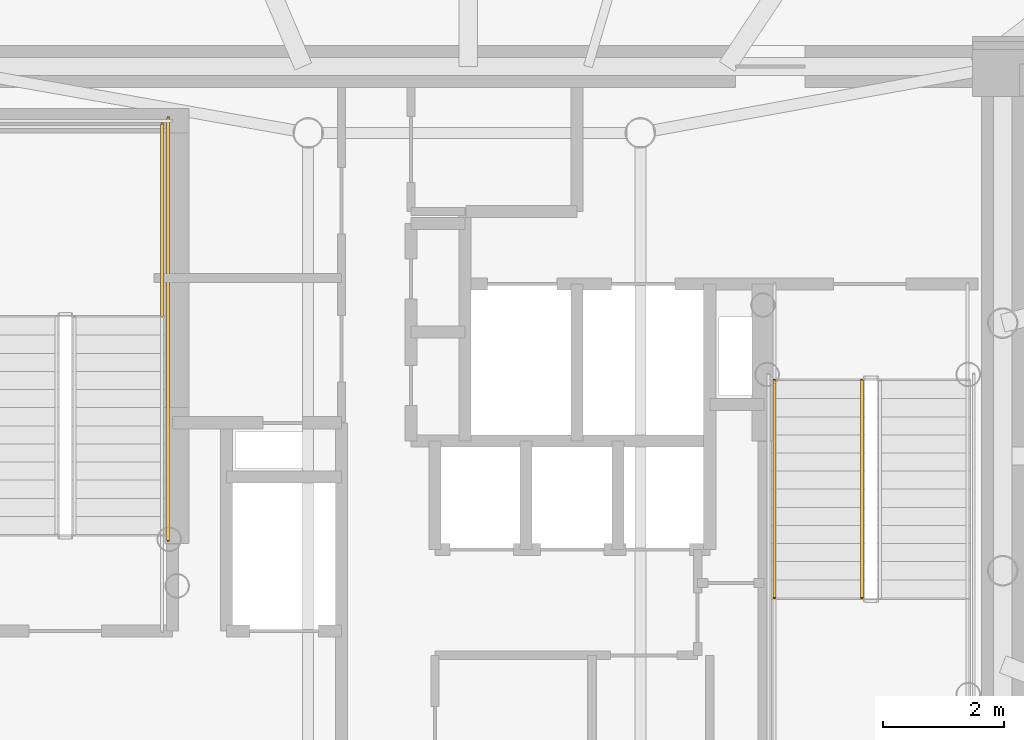
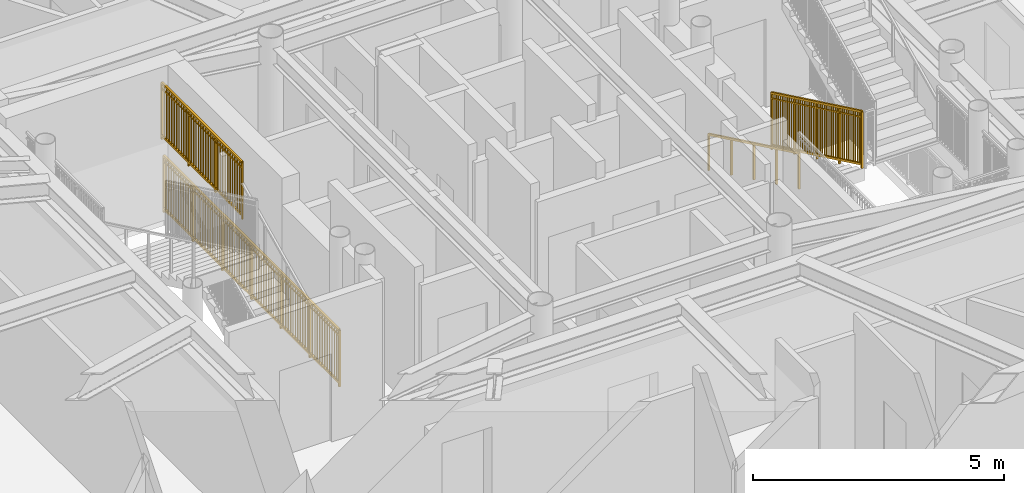
# One storey, part 18 of 20: 4 railings.
"""IFC4 building model written with IfcOpenShell, lengths in metres."""

from ifc_helpers import new_model, si_unit, direction, frame, origin, origin_2d, place, context, subcontext, project, spatial, rectangle, extrude, source, transform, mapped, material, type_object, element, save


model = new_model("IFC4")

# Units and contexts
model_context = context("Model", 3, precision=1e-05, world=origin(), true_north=direction((0.0, 1.0)))
body_context = subcontext(model_context, "Body", "Model", "MODEL_VIEW")
ifc_project = project(units=[si_unit("LENGTHUNIT", "METRE"), si_unit("AREAUNIT", "SQUARE_METRE"), si_unit("VOLUMEUNIT", "CUBIC_METRE"), si_unit("PLANEANGLEUNIT", "RADIAN"), si_unit("MASSUNIT", "GRAM", prefix="KILO")], contexts=[model_context])

# Site, building, storey
site_placement = place(None, origin())
site = spatial("IfcSite", under=ifc_project, at=site_placement, CompositionType="ELEMENT")
building_placement = place(site_placement, origin())
building = spatial("IfcBuilding", under=site, at=building_placement, Name="Linh Dai School and Residence Tower", CompositionType="ELEMENT")
storey_placement = place(building_placement, frame((0.0, 0.0, 288.0)))
storey = spatial("IfcBuildingStorey", under=building, at=storey_placement, Name="L71", CompositionType="ELEMENT", Elevation=288.0)

# Railings
ifc_material_1 = material(Name="Structural Steel S355JR", Category="steel")
railing_type_1 = type_object("IfcRailingType", Name="RL-ST-GUARD-1400", PredefinedType="GUARDRAIL", material=ifc_material_1)
shared_shape_1 = source(origin(), body_context, "Body", "SweptSolid", [
    extrude(rectangle(XDim=0.048095703125, YDim=0.048095703125, at=origin_2d()), frame((0.0, 0.0, 1.3759765625), z_axis=(0.0, 1.0, 0.0), x_axis=(-1.0, 0.0, 0.0)), (0.0, 0.0, 1.0), 7.0),
    extrude(rectangle(XDim=0.048095703125, YDim=0.048095703125, at=origin_2d()), frame((0.0, 0.0, 0.10009765625), z_axis=(0.0, 1.0, 0.0), x_axis=(-1.0, 0.0, 0.0)), (0.0, 0.0, 1.0), 7.0),
    extrude(rectangle(XDim=0.030029296875, YDim=0.030029296875, at=origin_2d()), frame((0.0, 0.0, 1.239990234375), z_axis=(0.0, 1.0, 0.0), x_axis=(-1.0, 0.0, 0.0)), (0.0, 0.0, 1.0), 7.0),
    extrude(rectangle(XDim=0.02001953125, YDim=0.02001953125, at=origin_2d()), frame((0.0, 0.09716796875, 0.10009765625)), (0.0, 0.0, 1.0), 1.251708984375),
    extrude(rectangle(XDim=0.02001953125, YDim=0.02001953125, at=origin_2d()), frame((0.0, 0.1943359375, 0.10009765625)), (0.0, 0.0, 1.0), 1.251708984375),
    extrude(rectangle(XDim=0.02001953125, YDim=0.02001953125, at=origin_2d()), frame((0.0, 0.291748046875, 0.10009765625)), (0.0, 0.0, 1.0), 1.251708984375),
    extrude(rectangle(XDim=0.02001953125, YDim=0.02001953125, at=origin_2d()), frame((0.0, 0.388916015625, 0.10009765625)), (0.0, 0.0, 1.0), 1.251708984375),
    extrude(rectangle(XDim=0.02001953125, YDim=0.02001953125, at=origin_2d()), frame((0.0, 0.486083984375, 0.10009765625)), (0.0, 0.0, 1.0), 1.251708984375),
    extrude(rectangle(XDim=0.02001953125, YDim=0.02001953125, at=origin_2d()), frame((0.0, 0.583251953125, 0.10009765625)), (0.0, 0.0, 1.0), 1.251708984375),
    extrude(rectangle(XDim=0.02001953125, YDim=0.02001953125, at=origin_2d()), frame((0.0, 0.6806640625, 0.10009765625)), (0.0, 0.0, 1.0), 1.251708984375),
    extrude(rectangle(XDim=0.02001953125, YDim=0.02001953125, at=origin_2d()), frame((0.0, 0.77783203125, 0.10009765625)), (0.0, 0.0, 1.0), 1.251708984375),
    extrude(rectangle(XDim=0.02001953125, YDim=0.02001953125, at=origin_2d()), frame((0.0, 0.875, 0.10009765625)), (0.0, 0.0, 1.0), 1.251708984375),
    extrude(rectangle(XDim=0.02001953125, YDim=0.02001953125, at=origin_2d()), frame((0.0, 0.97216796875, 0.10009765625)), (0.0, 0.0, 1.0), 1.251708984375),
    extrude(rectangle(XDim=0.02001953125, YDim=0.02001953125, at=origin_2d()), frame((0.0, 1.0693359375, 0.10009765625)), (0.0, 0.0, 1.0), 1.251708984375),
    extrude(rectangle(XDim=0.02001953125, YDim=0.02001953125, at=origin_2d()), frame((0.0, 1.263916015625, 0.10009765625)), (0.0, 0.0, 1.0), 1.251708984375),
    extrude(rectangle(XDim=0.02001953125, YDim=0.02001953125, at=origin_2d()), frame((0.0, 1.361083984375, 0.10009765625)), (0.0, 0.0, 1.0), 1.251708984375),
    extrude(rectangle(XDim=0.02001953125, YDim=0.02001953125, at=origin_2d()), frame((0.0, 1.458251953125, 0.10009765625)), (0.0, 0.0, 1.0), 1.251708984375),
    extrude(rectangle(XDim=0.02001953125, YDim=0.02001953125, at=origin_2d()), frame((0.0, 1.5556640625, 0.10009765625)), (0.0, 0.0, 1.0), 1.251708984375),
    extrude(rectangle(XDim=0.02001953125, YDim=0.02001953125, at=origin_2d()), frame((0.0, 1.65283203125, 0.10009765625)), (0.0, 0.0, 1.0), 1.251708984375),
    extrude(rectangle(XDim=0.02001953125, YDim=0.02001953125, at=origin_2d()), frame((0.0, 1.75, 0.10009765625)), (0.0, 0.0, 1.0), 1.251708984375),
    extrude(rectangle(XDim=0.02001953125, YDim=0.02001953125, at=origin_2d()), frame((0.0, 1.84716796875, 0.10009765625)), (0.0, 0.0, 1.0), 1.251708984375),
    extrude(rectangle(XDim=0.02001953125, YDim=0.02001953125, at=origin_2d()), frame((0.0, 1.9443359375, 0.10009765625)), (0.0, 0.0, 1.0), 1.251708984375),
    extrude(rectangle(XDim=0.02001953125, YDim=0.02001953125, at=origin_2d()), frame((0.0, 2.041748046875, 0.10009765625)), (0.0, 0.0, 1.0), 1.251708984375),
    extrude(rectangle(XDim=0.02001953125, YDim=0.02001953125, at=origin_2d()), frame((0.0, 2.138916015625, 0.10009765625)), (0.0, 0.0, 1.0), 1.251708984375),
    extrude(rectangle(XDim=0.02001953125, YDim=0.02001953125, at=origin_2d()), frame((0.0, 2.236083984375, 0.10009765625)), (0.0, 0.0, 1.0), 1.251708984375),
    extrude(rectangle(XDim=0.02001953125, YDim=0.02001953125, at=origin_2d()), frame((0.0, 2.4306640625, 0.10009765625)), (0.0, 0.0, 1.0), 1.251708984375),
    extrude(rectangle(XDim=0.02001953125, YDim=0.02001953125, at=origin_2d()), frame((0.0, 2.52783203125, 0.10009765625)), (0.0, 0.0, 1.0), 1.251708984375),
    extrude(rectangle(XDim=0.02001953125, YDim=0.02001953125, at=origin_2d()), frame((0.0, 2.625, 0.10009765625)), (0.0, 0.0, 1.0), 1.251708984375),
    extrude(rectangle(XDim=0.02001953125, YDim=0.02001953125, at=origin_2d()), frame((0.0, 2.72216796875, 0.10009765625)), (0.0, 0.0, 1.0), 1.251708984375),
    extrude(rectangle(XDim=0.02001953125, YDim=0.02001953125, at=origin_2d()), frame((0.0, 2.8193359375, 0.10009765625)), (0.0, 0.0, 1.0), 1.251708984375),
    extrude(rectangle(XDim=0.02001953125, YDim=0.02001953125, at=origin_2d()), frame((0.0, 2.916748046875, 0.10009765625)), (0.0, 0.0, 1.0), 1.251708984375),
    extrude(rectangle(XDim=0.02001953125, YDim=0.02001953125, at=origin_2d()), frame((0.0, 3.013916015625, 0.10009765625)), (0.0, 0.0, 1.0), 1.251708984375),
    extrude(rectangle(XDim=0.02001953125, YDim=0.02001953125, at=origin_2d()), frame((0.0, 3.111083984375, 0.10009765625)), (0.0, 0.0, 1.0), 1.251708984375),
    extrude(rectangle(XDim=0.02001953125, YDim=0.02001953125, at=origin_2d()), frame((0.0, 3.208251953125, 0.10009765625)), (0.0, 0.0, 1.0), 1.251708984375),
    extrude(rectangle(XDim=0.02001953125, YDim=0.02001953125, at=origin_2d()), frame((0.0, 3.3056640625, 0.10009765625)), (0.0, 0.0, 1.0), 1.251708984375),
    extrude(rectangle(XDim=0.02001953125, YDim=0.02001953125, at=origin_2d()), frame((0.0, 3.40283203125, 0.10009765625)), (0.0, 0.0, 1.0), 1.251708984375),
    extrude(rectangle(XDim=0.02001953125, YDim=0.02001953125, at=origin_2d()), frame((0.0, 3.59716796875, 0.10009765625)), (0.0, 0.0, 1.0), 1.251708984375),
    extrude(rectangle(XDim=0.02001953125, YDim=0.02001953125, at=origin_2d()), frame((0.0, 3.6943359375, 0.10009765625)), (0.0, 0.0, 1.0), 1.251708984375),
    extrude(rectangle(XDim=0.02001953125, YDim=0.02001953125, at=origin_2d()), frame((0.0, 3.791748046875, 0.10009765625)), (0.0, 0.0, 1.0), 1.251708984375),
    extrude(rectangle(XDim=0.02001953125, YDim=0.02001953125, at=origin_2d()), frame((0.0, 3.888916015625, 0.10009765625)), (0.0, 0.0, 1.0), 1.251708984375),
    extrude(rectangle(XDim=0.02001953125, YDim=0.02001953125, at=origin_2d()), frame((0.0, 3.986083984375, 0.10009765625)), (0.0, 0.0, 1.0), 1.251708984375),
    extrude(rectangle(XDim=0.02001953125, YDim=0.02001953125, at=origin_2d()), frame((0.0, 4.083251953125, 0.10009765625)), (0.0, 0.0, 1.0), 1.251708984375),
    extrude(rectangle(XDim=0.02001953125, YDim=0.02001953125, at=origin_2d()), frame((0.0, 4.1806640625, 0.10009765625)), (0.0, 0.0, 1.0), 1.251708984375),
    extrude(rectangle(XDim=0.02001953125, YDim=0.02001953125, at=origin_2d()), frame((0.0, 4.27783203125, 0.10009765625)), (0.0, 0.0, 1.0), 1.251708984375),
    extrude(rectangle(XDim=0.02001953125, YDim=0.02001953125, at=origin_2d()), frame((0.0, 4.375, 0.10009765625)), (0.0, 0.0, 1.0), 1.251708984375),
    extrude(rectangle(XDim=0.02001953125, YDim=0.02001953125, at=origin_2d()), frame((0.0, 4.47216796875, 0.10009765625)), (0.0, 0.0, 1.0), 1.251708984375),
    extrude(rectangle(XDim=0.02001953125, YDim=0.02001953125, at=origin_2d()), frame((0.0, 4.5693359375, 0.10009765625)), (0.0, 0.0, 1.0), 1.251708984375),
    extrude(rectangle(XDim=0.02001953125, YDim=0.02001953125, at=origin_2d()), frame((0.0, 4.763916015625, 0.10009765625)), (0.0, 0.0, 1.0), 1.251708984375),
    extrude(rectangle(XDim=0.02001953125, YDim=0.02001953125, at=origin_2d()), frame((0.0, 4.861083984375, 0.10009765625)), (0.0, 0.0, 1.0), 1.251708984375),
    extrude(rectangle(XDim=0.02001953125, YDim=0.02001953125, at=origin_2d()), frame((0.0, 4.958251953125, 0.10009765625)), (0.0, 0.0, 1.0), 1.251708984375),
    extrude(rectangle(XDim=0.02001953125, YDim=0.02001953125, at=origin_2d()), frame((0.0, 5.0556640625, 0.10009765625)), (0.0, 0.0, 1.0), 1.251708984375),
    extrude(rectangle(XDim=0.02001953125, YDim=0.02001953125, at=origin_2d()), frame((0.0, 5.15283203125, 0.10009765625)), (0.0, 0.0, 1.0), 1.251708984375),
    extrude(rectangle(XDim=0.02001953125, YDim=0.02001953125, at=origin_2d()), frame((0.0, 5.25, 0.10009765625)), (0.0, 0.0, 1.0), 1.251708984375),
    extrude(rectangle(XDim=0.02001953125, YDim=0.02001953125, at=origin_2d()), frame((0.0, 5.34716796875, 0.10009765625)), (0.0, 0.0, 1.0), 1.251708984375),
    extrude(rectangle(XDim=0.02001953125, YDim=0.02001953125, at=origin_2d()), frame((0.0, 5.4443359375, 0.10009765625)), (0.0, 0.0, 1.0), 1.251708984375),
    extrude(rectangle(XDim=0.02001953125, YDim=0.02001953125, at=origin_2d()), frame((0.0, 5.541748046875, 0.10009765625)), (0.0, 0.0, 1.0), 1.251708984375),
    extrude(rectangle(XDim=0.02001953125, YDim=0.02001953125, at=origin_2d()), frame((0.0, 5.638916015625, 0.10009765625)), (0.0, 0.0, 1.0), 1.251708984375),
    extrude(rectangle(XDim=0.02001953125, YDim=0.02001953125, at=origin_2d()), frame((0.0, 5.736083984375, 0.10009765625)), (0.0, 0.0, 1.0), 1.251708984375),
    extrude(rectangle(XDim=0.02001953125, YDim=0.02001953125, at=origin_2d()), frame((0.0, 5.9306640625, 0.10009765625)), (0.0, 0.0, 1.0), 1.251708984375),
    extrude(rectangle(XDim=0.02001953125, YDim=0.02001953125, at=origin_2d()), frame((0.0, 6.02783203125, 0.10009765625)), (0.0, 0.0, 1.0), 1.251708984375),
    extrude(rectangle(XDim=0.02001953125, YDim=0.02001953125, at=origin_2d()), frame((0.0, 6.125, 0.10009765625)), (0.0, 0.0, 1.0), 1.251708984375),
    extrude(rectangle(XDim=0.02001953125, YDim=0.02001953125, at=origin_2d()), frame((0.0, 6.22216796875, 0.10009765625)), (0.0, 0.0, 1.0), 1.251708984375),
    extrude(rectangle(XDim=0.02001953125, YDim=0.02001953125, at=origin_2d()), frame((0.0, 6.3193359375, 0.10009765625)), (0.0, 0.0, 1.0), 1.251708984375),
    extrude(rectangle(XDim=0.02001953125, YDim=0.02001953125, at=origin_2d()), frame((0.0, 6.416748046875, 0.10009765625)), (0.0, 0.0, 1.0), 1.251708984375),
    extrude(rectangle(XDim=0.02001953125, YDim=0.02001953125, at=origin_2d()), frame((0.0, 6.513916015625, 0.10009765625)), (0.0, 0.0, 1.0), 1.251708984375),
    extrude(rectangle(XDim=0.02001953125, YDim=0.02001953125, at=origin_2d()), frame((0.0, 6.611083984375, 0.10009765625)), (0.0, 0.0, 1.0), 1.251708984375),
    extrude(rectangle(XDim=0.02001953125, YDim=0.02001953125, at=origin_2d()), frame((0.0, 6.708251953125, 0.10009765625)), (0.0, 0.0, 1.0), 1.251708984375),
    extrude(rectangle(XDim=0.02001953125, YDim=0.02001953125, at=origin_2d()), frame((0.0, 6.8056640625, 0.10009765625)), (0.0, 0.0, 1.0), 1.251708984375),
    extrude(rectangle(XDim=0.02001953125, YDim=0.02001953125, at=origin_2d()), frame((0.0, 6.90283203125, 0.10009765625)), (0.0, 0.0, 1.0), 1.251708984375),
    extrude(rectangle(XDim=0.0419921875, YDim=0.0419921875, at=origin_2d()), origin(), (0.0, 0.0, 1.0), 1.3759765625),
    extrude(rectangle(XDim=0.0419921875, YDim=0.0419921875, at=origin_2d()), frame((0.0, 1.166748046875, 0.0)), (0.0, 0.0, 1.0), 1.3759765625),
    extrude(rectangle(XDim=0.0419921875, YDim=0.0419921875, at=origin_2d()), frame((0.0, 2.333251953125, 0.0)), (0.0, 0.0, 1.0), 1.3759765625),
    extrude(rectangle(XDim=0.0419921875, YDim=0.0419921875, at=origin_2d()), frame((0.0, 3.5, 0.0)), (0.0, 0.0, 1.0), 1.3759765625),
    extrude(rectangle(XDim=0.0419921875, YDim=0.0419921875, at=origin_2d()), frame((0.0, 4.666748046875, 0.0)), (0.0, 0.0, 1.0), 1.3759765625),
    extrude(rectangle(XDim=0.0419921875, YDim=0.0419921875, at=origin_2d()), frame((0.0, 5.833251953125, 0.0)), (0.0, 0.0, 1.0), 1.3759765625),
    extrude(rectangle(XDim=0.0419921875, YDim=0.0419921875, at=origin_2d()), frame((0.0, 7.0, 0.0)), (0.0, 0.0, 1.0), 1.3759765625),
])
railing_1_placement = place(storey_placement, frame((31.030029296875, 25.60009765625, 0.0)))
element("IfcRailing", 1, at=railing_1_placement, inside=storey, type_object=railing_type_1, Name="L71 ST1 stair guard 10", PredefinedType="GUARDRAIL", context=body_context, shape_type="MappedRepresentation", body=[
    mapped(shared_shape_1, transform((0.0, 0.0, 0.0), x_axis=(1.0, 0.0, 0.0), y_axis=(0.0, 1.0, 0.0), z_axis=(0.0, 0.0, 1.0), scale=1.0)),
])
shared_shape_2 = source(origin(), body_context, "Body", "SweptSolid", [
    extrude(rectangle(XDim=0.048095703125, YDim=0.048095703125, at=origin_2d()), frame((0.0, 0.0, 1.3759765625), z_axis=(0.0, 1.0, 0.0), x_axis=(-1.0, 0.0, 0.0)), (0.0, 0.0, 1.0), 3.199951171875),
    extrude(rectangle(XDim=0.048095703125, YDim=0.048095703125, at=origin_2d()), frame((0.0, 0.0, 0.10009765625), z_axis=(0.0, 1.0, 0.0), x_axis=(-1.0, 0.0, 0.0)), (0.0, 0.0, 1.0), 3.199951171875),
    extrude(rectangle(XDim=0.030029296875, YDim=0.030029296875, at=origin_2d()), frame((0.0, 0.0, 1.239990234375), z_axis=(0.0, 1.0, 0.0), x_axis=(-1.0, 0.0, 0.0)), (0.0, 0.0, 1.0), 3.199951171875),
    extrude(rectangle(XDim=0.02001953125, YDim=0.02001953125, at=origin_2d()), frame((0.0, 0.096923828125, 0.10009765625)), (0.0, 0.0, 1.0), 1.251708984375),
    extrude(rectangle(XDim=0.02001953125, YDim=0.02001953125, at=origin_2d()), frame((0.0, 0.19384765625, 0.10009765625)), (0.0, 0.0, 1.0), 1.251708984375),
    extrude(rectangle(XDim=0.02001953125, YDim=0.02001953125, at=origin_2d()), frame((0.0, 0.291015625, 0.10009765625)), (0.0, 0.0, 1.0), 1.251708984375),
    extrude(rectangle(XDim=0.02001953125, YDim=0.02001953125, at=origin_2d()), frame((0.0, 0.387939453125, 0.10009765625)), (0.0, 0.0, 1.0), 1.251708984375),
    extrude(rectangle(XDim=0.02001953125, YDim=0.02001953125, at=origin_2d()), frame((0.0, 0.48486328125, 0.10009765625)), (0.0, 0.0, 1.0), 1.251708984375),
    extrude(rectangle(XDim=0.02001953125, YDim=0.02001953125, at=origin_2d()), frame((0.0, 0.581787109375, 0.10009765625)), (0.0, 0.0, 1.0), 1.251708984375),
    extrude(rectangle(XDim=0.02001953125, YDim=0.02001953125, at=origin_2d()), frame((0.0, 0.6787109375, 0.10009765625)), (0.0, 0.0, 1.0), 1.251708984375),
    extrude(rectangle(XDim=0.02001953125, YDim=0.02001953125, at=origin_2d()), frame((0.0, 0.775634765625, 0.10009765625)), (0.0, 0.0, 1.0), 1.251708984375),
    extrude(rectangle(XDim=0.02001953125, YDim=0.02001953125, at=origin_2d()), frame((0.0, 0.872802734375, 0.10009765625)), (0.0, 0.0, 1.0), 1.251708984375),
    extrude(rectangle(XDim=0.02001953125, YDim=0.02001953125, at=origin_2d()), frame((0.0, 0.9697265625, 0.10009765625)), (0.0, 0.0, 1.0), 1.251708984375),
    extrude(rectangle(XDim=0.02001953125, YDim=0.02001953125, at=origin_2d()), frame((0.0, 1.16357421875, 0.10009765625)), (0.0, 0.0, 1.0), 1.251708984375),
    extrude(rectangle(XDim=0.02001953125, YDim=0.02001953125, at=origin_2d()), frame((0.0, 1.260498046875, 0.10009765625)), (0.0, 0.0, 1.0), 1.251708984375),
    extrude(rectangle(XDim=0.02001953125, YDim=0.02001953125, at=origin_2d()), frame((0.0, 1.357666015625, 0.10009765625)), (0.0, 0.0, 1.0), 1.251708984375),
    extrude(rectangle(XDim=0.02001953125, YDim=0.02001953125, at=origin_2d()), frame((0.0, 1.45458984375, 0.10009765625)), (0.0, 0.0, 1.0), 1.251708984375),
    extrude(rectangle(XDim=0.02001953125, YDim=0.02001953125, at=origin_2d()), frame((0.0, 1.551513671875, 0.10009765625)), (0.0, 0.0, 1.0), 1.251708984375),
    extrude(rectangle(XDim=0.02001953125, YDim=0.02001953125, at=origin_2d()), frame((0.0, 1.6484375, 0.10009765625)), (0.0, 0.0, 1.0), 1.251708984375),
    extrude(rectangle(XDim=0.02001953125, YDim=0.02001953125, at=origin_2d()), frame((0.0, 1.745361328125, 0.10009765625)), (0.0, 0.0, 1.0), 1.251708984375),
    extrude(rectangle(XDim=0.02001953125, YDim=0.02001953125, at=origin_2d()), frame((0.0, 1.84228515625, 0.10009765625)), (0.0, 0.0, 1.0), 1.251708984375),
    extrude(rectangle(XDim=0.02001953125, YDim=0.02001953125, at=origin_2d()), frame((0.0, 1.939453125, 0.10009765625)), (0.0, 0.0, 1.0), 1.251708984375),
    extrude(rectangle(XDim=0.02001953125, YDim=0.02001953125, at=origin_2d()), frame((0.0, 2.036376953125, 0.10009765625)), (0.0, 0.0, 1.0), 1.251708984375),
    extrude(rectangle(XDim=0.02001953125, YDim=0.02001953125, at=origin_2d()), frame((0.0, 2.230224609375, 0.10009765625)), (0.0, 0.0, 1.0), 1.251708984375),
    extrude(rectangle(XDim=0.02001953125, YDim=0.02001953125, at=origin_2d()), frame((0.0, 2.3271484375, 0.10009765625)), (0.0, 0.0, 1.0), 1.251708984375),
    extrude(rectangle(XDim=0.02001953125, YDim=0.02001953125, at=origin_2d()), frame((0.0, 2.42431640625, 0.10009765625)), (0.0, 0.0, 1.0), 1.251708984375),
    extrude(rectangle(XDim=0.02001953125, YDim=0.02001953125, at=origin_2d()), frame((0.0, 2.521240234375, 0.10009765625)), (0.0, 0.0, 1.0), 1.251708984375),
    extrude(rectangle(XDim=0.02001953125, YDim=0.02001953125, at=origin_2d()), frame((0.0, 2.6181640625, 0.10009765625)), (0.0, 0.0, 1.0), 1.251708984375),
    extrude(rectangle(XDim=0.02001953125, YDim=0.02001953125, at=origin_2d()), frame((0.0, 2.715087890625, 0.10009765625)), (0.0, 0.0, 1.0), 1.251708984375),
    extrude(rectangle(XDim=0.02001953125, YDim=0.02001953125, at=origin_2d()), frame((0.0, 2.81201171875, 0.10009765625)), (0.0, 0.0, 1.0), 1.251708984375),
    extrude(rectangle(XDim=0.02001953125, YDim=0.02001953125, at=origin_2d()), frame((0.0, 2.908935546875, 0.10009765625)), (0.0, 0.0, 1.0), 1.251708984375),
    extrude(rectangle(XDim=0.02001953125, YDim=0.02001953125, at=origin_2d()), frame((0.0, 3.006103515625, 0.10009765625)), (0.0, 0.0, 1.0), 1.251708984375),
    extrude(rectangle(XDim=0.02001953125, YDim=0.02001953125, at=origin_2d()), frame((0.0, 3.10302734375, 0.10009765625)), (0.0, 0.0, 1.0), 1.251708984375),
    extrude(rectangle(XDim=0.0419921875, YDim=0.0419921875, at=origin_2d()), origin(), (0.0, 0.0, 1.0), 1.3759765625),
    extrude(rectangle(XDim=0.0419921875, YDim=0.0419921875, at=origin_2d()), frame((0.0, 1.066650390625, 0.0)), (0.0, 0.0, 1.0), 1.3759765625),
    extrude(rectangle(XDim=0.0419921875, YDim=0.0419921875, at=origin_2d()), frame((0.0, 2.13330078125, 0.0)), (0.0, 0.0, 1.0), 1.3759765625),
    extrude(rectangle(XDim=0.0419921875, YDim=0.0419921875, at=origin_2d()), frame((0.0, 3.199951171875, 0.0)), (0.0, 0.0, 1.0), 1.3759765625),
])
railing_2_placement = place(storey_placement, frame((30.929931640625, 29.300048828125, 1.875)))
element("IfcRailing", 2, at=railing_2_placement, inside=storey, type_object=railing_type_1, Name="L71 ST1 stair guard 3", PredefinedType="GUARDRAIL", context=body_context, shape_type="MappedRepresentation", body=[
    mapped(shared_shape_2, transform((0.0, 0.0, 0.0), x_axis=(1.0, 0.0, 0.0), y_axis=(0.0, 1.0, 0.0), z_axis=(0.0, 0.0, 1.0), scale=1.0)),
])
shared_shape_3 = source(origin(), body_context, "Body", "SweptSolid", [
    extrude(rectangle(XDim=0.048095703125, YDim=0.048095703125, at=origin_2d()), frame((0.0, 0.0, 1.3759765625), z_axis=(0.0, -0.901262522062, 0.433273431364), x_axis=(1.0, 0.0, 0.0)), (0.0, 0.0, 1.0), 3.994384765625),
    extrude(rectangle(XDim=0.048095703125, YDim=0.048095703125, at=origin_2d()), frame((0.0, 0.0, 0.10009765625), z_axis=(0.0, -0.901262522062, 0.433273431364), x_axis=(1.0, 0.0, 0.0)), (0.0, 0.0, 1.0), 3.994384765625),
    extrude(rectangle(XDim=0.030029296875, YDim=0.030029296875, at=origin_2d()), frame((0.0, 0.0, 1.239990234375), z_axis=(0.0, -0.901262522062, 0.433273431364), x_axis=(1.0, 0.0, 0.0)), (0.0, 0.0, 1.0), 3.994384765625),
    extrude(rectangle(XDim=0.02001953125, YDim=0.02001953125, at=origin_2d()), frame((0.0, -0.087890625, 0.142333984375)), (0.0, 0.0, 1.0), 1.251708984375),
    extrude(rectangle(XDim=0.02001953125, YDim=0.02001953125, at=origin_2d()), frame((0.0, -0.175537109375, 0.1845703125)), (0.0, 0.0, 1.0), 1.251708984375),
    extrude(rectangle(XDim=0.02001953125, YDim=0.02001953125, at=origin_2d()), frame((0.0, -0.263427734375, 0.226806640625)), (0.0, 0.0, 1.0), 1.251708984375),
    extrude(rectangle(XDim=0.02001953125, YDim=0.02001953125, at=origin_2d()), frame((0.0, -0.351318359375, 0.26904296875)), (0.0, 0.0, 1.0), 1.251708984375),
    extrude(rectangle(XDim=0.02001953125, YDim=0.02001953125, at=origin_2d()), frame((0.0, -0.43896484375, 0.311279296875)), (0.0, 0.0, 1.0), 1.251708984375),
    extrude(rectangle(XDim=0.02001953125, YDim=0.02001953125, at=origin_2d()), frame((0.0, -0.52685546875, 0.353271484375)), (0.0, 0.0, 1.0), 1.251708984375),
    extrude(rectangle(XDim=0.02001953125, YDim=0.02001953125, at=origin_2d()), frame((0.0, -0.61474609375, 0.3955078125)), (0.0, 0.0, 1.0), 1.251708984375),
    extrude(rectangle(XDim=0.02001953125, YDim=0.02001953125, at=origin_2d()), frame((0.0, -0.702392578125, 0.437744140625)), (0.0, 0.0, 1.0), 1.251708984375),
    extrude(rectangle(XDim=0.02001953125, YDim=0.02001953125, at=origin_2d()), frame((0.0, -0.790283203125, 0.47998046875)), (0.0, 0.0, 1.0), 1.251708984375),
    extrude(rectangle(XDim=0.02001953125, YDim=0.02001953125, at=origin_2d()), frame((0.0, -0.9658203125, 0.564453125)), (0.0, 0.0, 1.0), 1.251708984375),
    extrude(rectangle(XDim=0.02001953125, YDim=0.02001953125, at=origin_2d()), frame((0.0, -1.0537109375, 0.606689453125)), (0.0, 0.0, 1.0), 1.251708984375),
    extrude(rectangle(XDim=0.02001953125, YDim=0.02001953125, at=origin_2d()), frame((0.0, -1.1416015625, 0.64892578125)), (0.0, 0.0, 1.0), 1.251708984375),
    extrude(rectangle(XDim=0.02001953125, YDim=0.02001953125, at=origin_2d()), frame((0.0, -1.229248046875, 0.691162109375)), (0.0, 0.0, 1.0), 1.251708984375),
    extrude(rectangle(XDim=0.02001953125, YDim=0.02001953125, at=origin_2d()), frame((0.0, -1.317138671875, 0.7333984375)), (0.0, 0.0, 1.0), 1.251708984375),
    extrude(rectangle(XDim=0.02001953125, YDim=0.02001953125, at=origin_2d()), frame((0.0, -1.405029296875, 0.775390625)), (0.0, 0.0, 1.0), 1.251708984375),
    extrude(rectangle(XDim=0.02001953125, YDim=0.02001953125, at=origin_2d()), frame((0.0, -1.49267578125, 0.817626953125)), (0.0, 0.0, 1.0), 1.251708984375),
    extrude(rectangle(XDim=0.02001953125, YDim=0.02001953125, at=origin_2d()), frame((0.0, -1.58056640625, 0.85986328125)), (0.0, 0.0, 1.0), 1.251708984375),
    extrude(rectangle(XDim=0.02001953125, YDim=0.02001953125, at=origin_2d()), frame((0.0, -1.66845703125, 0.902099609375)), (0.0, 0.0, 1.0), 1.251708984375),
    extrude(rectangle(XDim=0.02001953125, YDim=0.02001953125, at=origin_2d()), frame((0.0, -1.756103515625, 0.9443359375)), (0.0, 0.0, 1.0), 1.251708984375),
    extrude(rectangle(XDim=0.02001953125, YDim=0.02001953125, at=origin_2d()), frame((0.0, -1.843994140625, 0.986572265625)), (0.0, 0.0, 1.0), 1.251708984375),
    extrude(rectangle(XDim=0.02001953125, YDim=0.02001953125, at=origin_2d()), frame((0.0, -1.931640625, 1.02880859375)), (0.0, 0.0, 1.0), 1.251708984375),
    extrude(rectangle(XDim=0.02001953125, YDim=0.02001953125, at=origin_2d()), frame((0.0, -2.01953125, 1.071044921875)), (0.0, 0.0, 1.0), 1.251708984375),
    extrude(rectangle(XDim=0.02001953125, YDim=0.02001953125, at=origin_2d()), frame((0.0, -2.107421875, 1.11328125)), (0.0, 0.0, 1.0), 1.251708984375),
    extrude(rectangle(XDim=0.02001953125, YDim=0.02001953125, at=origin_2d()), frame((0.0, -2.195068359375, 1.155517578125)), (0.0, 0.0, 1.0), 1.251708984375),
    extrude(rectangle(XDim=0.02001953125, YDim=0.02001953125, at=origin_2d()), frame((0.0, -2.282958984375, 1.197509765625)), (0.0, 0.0, 1.0), 1.251708984375),
    extrude(rectangle(XDim=0.02001953125, YDim=0.02001953125, at=origin_2d()), frame((0.0, -2.370849609375, 1.23974609375)), (0.0, 0.0, 1.0), 1.251708984375),
    extrude(rectangle(XDim=0.02001953125, YDim=0.02001953125, at=origin_2d()), frame((0.0, -2.45849609375, 1.281982421875)), (0.0, 0.0, 1.0), 1.251708984375),
    extrude(rectangle(XDim=0.02001953125, YDim=0.02001953125, at=origin_2d()), frame((0.0, -2.54638671875, 1.32421875)), (0.0, 0.0, 1.0), 1.251708984375),
    extrude(rectangle(XDim=0.02001953125, YDim=0.02001953125, at=origin_2d()), frame((0.0, -2.63427734375, 1.366455078125)), (0.0, 0.0, 1.0), 1.251708984375),
    extrude(rectangle(XDim=0.02001953125, YDim=0.02001953125, at=origin_2d()), frame((0.0, -2.809814453125, 1.450927734375)), (0.0, 0.0, 1.0), 1.251708984375),
    extrude(rectangle(XDim=0.02001953125, YDim=0.02001953125, at=origin_2d()), frame((0.0, -2.897705078125, 1.4931640625)), (0.0, 0.0, 1.0), 1.251708984375),
    extrude(rectangle(XDim=0.02001953125, YDim=0.02001953125, at=origin_2d()), frame((0.0, -2.9853515625, 1.535400390625)), (0.0, 0.0, 1.0), 1.251708984375),
    extrude(rectangle(XDim=0.02001953125, YDim=0.02001953125, at=origin_2d()), frame((0.0, -3.0732421875, 1.57763671875)), (0.0, 0.0, 1.0), 1.251708984375),
    extrude(rectangle(XDim=0.02001953125, YDim=0.02001953125, at=origin_2d()), frame((0.0, -3.1611328125, 1.61962890625)), (0.0, 0.0, 1.0), 1.251708984375),
    extrude(rectangle(XDim=0.02001953125, YDim=0.02001953125, at=origin_2d()), frame((0.0, -3.248779296875, 1.661865234375)), (0.0, 0.0, 1.0), 1.251708984375),
    extrude(rectangle(XDim=0.02001953125, YDim=0.02001953125, at=origin_2d()), frame((0.0, -3.336669921875, 1.7041015625)), (0.0, 0.0, 1.0), 1.251708984375),
    extrude(rectangle(XDim=0.02001953125, YDim=0.02001953125, at=origin_2d()), frame((0.0, -3.424560546875, 1.746337890625)), (0.0, 0.0, 1.0), 1.251708984375),
    extrude(rectangle(XDim=0.02001953125, YDim=0.02001953125, at=origin_2d()), frame((0.0, -3.51220703125, 1.78857421875)), (0.0, 0.0, 1.0), 1.251708984375),
    extrude(rectangle(XDim=0.0419921875, YDim=0.0419921875, at=origin_2d()), origin(), (0.0, 0.0, 1.0), 1.3759765625),
    extrude(rectangle(XDim=0.0419921875, YDim=0.0419921875, at=origin_2d()), frame((0.0, -0.89990234375, 0.4326171875)), (0.0, 0.0, 1.0), 1.3759765625),
    extrude(rectangle(XDim=0.0419921875, YDim=0.0419921875, at=origin_2d()), frame((0.0, -1.800048828125, 0.865234375)), (0.0, 0.0, 1.0), 1.3759765625),
    extrude(rectangle(XDim=0.0419921875, YDim=0.0419921875, at=origin_2d()), frame((0.0, -2.7001953125, 1.298095703125)), (0.0, 0.0, 1.0), 1.3759765625),
    extrude(rectangle(XDim=0.0419921875, YDim=0.0419921875, at=origin_2d()), frame((0.0, -3.60009765625, 1.730712890625)), (0.0, 0.0, 1.0), 1.3759765625),
])
railing_3_placement = place(storey_placement, frame((42.52001953125, 28.25, 0.144287109375)))
element("IfcRailing", 3, at=railing_3_placement, inside=storey, type_object=railing_type_1, Name="L71 ST2 stair guard 1", PredefinedType="GUARDRAIL", context=body_context, shape_type="MappedRepresentation", body=[
    mapped(shared_shape_3, transform((0.0, 0.0, 0.0), x_axis=(1.0, 0.0, 0.0), y_axis=(0.0, 1.0, 0.0), z_axis=(0.0, 0.0, 1.0), scale=1.0)),
])
ifc_material_2 = material(Name="Brushed Stainless Steel Handrail", Category="steel")
railing_type_2 = type_object("IfcRailingType", Name="RL-ST-HANDRAIL-900", PredefinedType="HANDRAIL", material=ifc_material_2)
shared_shape_4 = source(origin(), body_context, "Body", "SweptSolid", [
    extrude(rectangle(XDim=0.048095703125, YDim=0.048095703125, at=origin_2d()), frame((0.0, 0.0, 0.8759765625), z_axis=(0.0, -0.901262522062, 0.433273431364), x_axis=(1.0, 0.0, 0.0)), (0.0, 0.0, 1.0), 3.994384765625),
    extrude(rectangle(XDim=0.0419921875, YDim=0.0419921875, at=origin_2d()), origin(), (0.0, 0.0, 1.0), 0.8759765625),
    extrude(rectangle(XDim=0.0419921875, YDim=0.0419921875, at=origin_2d()), frame((0.0, -0.89990234375, 0.4326171875)), (0.0, 0.0, 1.0), 0.8759765625),
    extrude(rectangle(XDim=0.0419921875, YDim=0.0419921875, at=origin_2d()), frame((0.0, -1.800048828125, 0.865234375)), (0.0, 0.0, 1.0), 0.8759765625),
    extrude(rectangle(XDim=0.0419921875, YDim=0.0419921875, at=origin_2d()), frame((0.0, -2.7001953125, 1.298095703125)), (0.0, 0.0, 1.0), 0.8759765625),
    extrude(rectangle(XDim=0.0419921875, YDim=0.0419921875, at=origin_2d()), frame((0.0, -3.60009765625, 1.730712890625)), (0.0, 0.0, 1.0), 0.8759765625),
])
railing_4_placement = place(storey_placement, frame((41.070068359375, 28.25, 0.144287109375)))
element("IfcRailing", 4, at=railing_4_placement, inside=storey, type_object=railing_type_2, Name="L71 ST2 stair handrail 1", PredefinedType="HANDRAIL", context=body_context, shape_type="MappedRepresentation", body=[
    mapped(shared_shape_4, transform((0.0, 0.0, 0.0), x_axis=(1.0, 0.0, 0.0), y_axis=(0.0, 1.0, 0.0), z_axis=(0.0, 0.0, 1.0), scale=1.0)),
])

save(model, "model.ifc")
